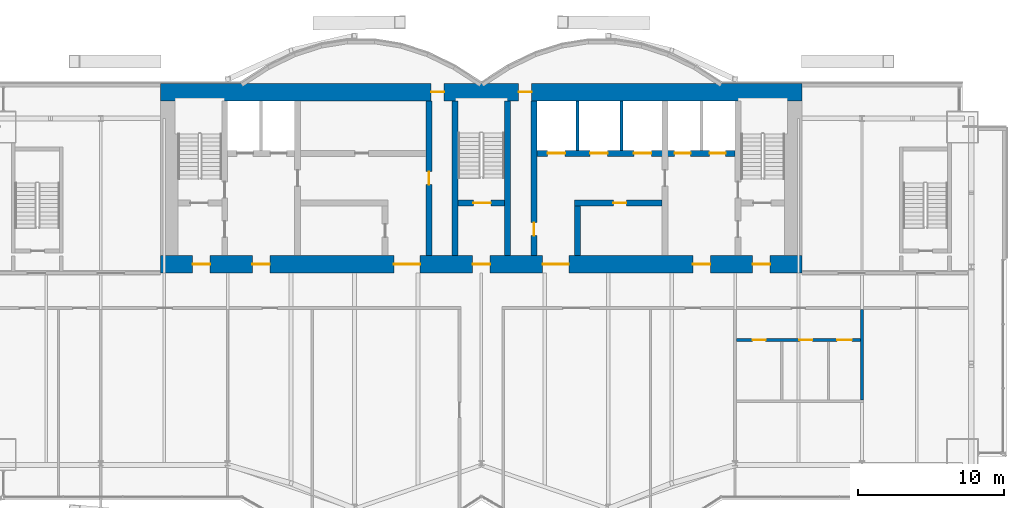
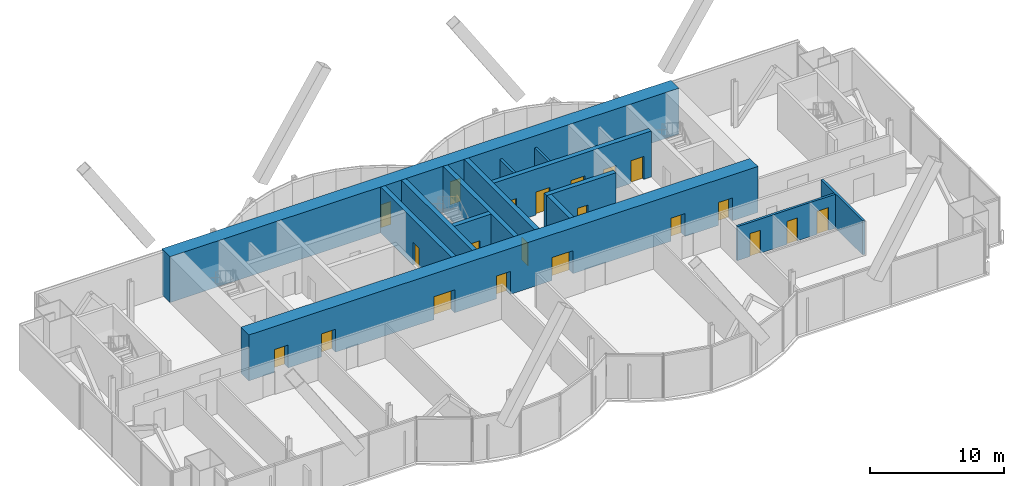
# One storey, part 14 of 19: 21 doors, 14 walls, 21 openings.
"""IFC4 building model written with IfcOpenShell, lengths in metres."""

from ifc_helpers import new_model, si_unit, direction, frame, frame_2d, origin, place, context, subcontext, project, spatial, rectangle, extrude, material, layer, layer_set, type_object, element, fill, save


model = new_model("IFC4")

# Units and contexts
model_context = context("Model", 3, precision=1e-05, world=origin(), true_north=direction((0.0, 1.0)))
body_context = subcontext(model_context, "Body", "Model", "MODEL_VIEW")
ifc_project = project(units=[si_unit("LENGTHUNIT", "METRE"), si_unit("AREAUNIT", "SQUARE_METRE"), si_unit("VOLUMEUNIT", "CUBIC_METRE"), si_unit("PLANEANGLEUNIT", "RADIAN"), si_unit("MASSUNIT", "GRAM", prefix="KILO")], contexts=[model_context])

# Site, building, storey
site_placement = place(None, origin())
site = spatial("IfcSite", under=ifc_project, at=site_placement, CompositionType="ELEMENT")
building_placement = place(site_placement, origin())
building = spatial("IfcBuilding", under=site, at=building_placement, Name="Bicima Exchange Tower", CompositionType="ELEMENT")
storey_placement = place(building_placement, frame((0.0, 0.0, 270.800048828125)))
storey = spatial("IfcBuildingStorey", under=building, at=storey_placement, Name="L61", CompositionType="ELEMENT", Elevation=270.800048828125)

# Walls
ifc_material_1 = material(Name="Gypsum board partition")
ifc_layer_1 = layer(ifc_material_1, 0.199951171875)
ifc_layer_set_1 = layer_set([ifc_layer_1], Name="Gypsum board partition")
wall_type_1 = type_object("IfcWallType", Name="Fire-rated gypsum partition 200 EI120", PredefinedType="PARTITIONING", material=ifc_layer_set_1)
for number, where, z_axis, x_axis, name in (
    (1, (6.60009765625, -4.60009765625, 0.0), (0.0, 0.0, 1.0), (0.0, 1.0, 0.0), "partition wall 17"),
    (2, (9.60009765625, -4.60009765625, 0.0), (0.0, 0.0, 1.0), (0.0, 1.0, 0.0), "partition wall 18"),
):
    element("IfcWall", number, at=place(storey_placement, frame(where, z_axis=z_axis, x_axis=x_axis)), inside=storey, type_object=wall_type_1, Name=name, PredefinedType="PARTITIONING", context=body_context, shape_type="SweptSolid", body=[
        extrude(rectangle(XDim=3.400146484375, YDim=0.199951171875, at=frame_2d((1.7001953125, 0.0))), origin(), (0.0, 0.0, 1.0), 3.1181640625),
    ])

# Wall, openings, doors
ifc_layer_2 = layer(ifc_material_1, 0.199951171875)
ifc_layer_set_2 = layer_set([ifc_layer_2], Name="Gypsum board partition")
wall_type_2 = type_object("IfcWallType", Name="Fire-rated gypsum partition 200 EI60", PredefinedType="PARTITIONING", material=ifc_layer_set_2)
wall_1_placement = place(storey_placement, frame((17.5, -17.60009765625, 0.0), z_axis=(0.0, 0.0, 1.0), x_axis=(1.0, 0.0, 0.0)))
wall_1 = element("IfcWall", 3, at=wall_1_placement, inside=storey, type_object=wall_type_2, Name="partition wall 2", PredefinedType="PARTITIONING", context=body_context, shape_type="SweptSolid", body=[
    extrude(rectangle(XDim=8.5, YDim=0.199951171875, at=frame_2d((4.25, 0.0))), origin(), (0.0, 0.0, 1.0), 3.1181640625),
])
opening_1_placement = place(wall_1_placement, frame((1.10009765625, 0.0, 0.0)))
opening_1 = element("IfcOpeningElement", 4, at=opening_1_placement, cuts=wall_1, Name="Opening L61-015", PredefinedType="OPENING", context=body_context, shape_type="SweptSolid", body=[
    extrude(rectangle(XDim=0.89990234375, YDim=2.10009765625, at=frame_2d((0.449951171875, 1.050048828125))), frame((0.0, 0.11181640625, 0.0), z_axis=(0.0, -1.0, 0.0), x_axis=(1.0, 0.0, 0.0)), (0.0, 0.0, 1.0), 0.223876953125),
])
opening_2_placement = place(wall_1_placement, frame((4.300048828125, 0.0, 0.0)))
opening_2 = element("IfcOpeningElement", 5, at=opening_2_placement, cuts=wall_1, Name="Opening L61-016", PredefinedType="OPENING", context=body_context, shape_type="SweptSolid", body=[
    extrude(rectangle(XDim=0.89990234375, YDim=2.10009765625, at=frame_2d((0.449951171875, 1.050048828125))), frame((0.0, 0.11181640625, 0.0), z_axis=(0.0, -1.0, 0.0), x_axis=(1.0, 0.0, 0.0)), (0.0, 0.0, 1.0), 0.223876953125),
])
opening_3_placement = place(wall_1_placement, frame((6.89990234375, 0.0, 0.0)))
opening_3 = element("IfcOpeningElement", 6, at=opening_3_placement, cuts=wall_1, Name="Opening L61-017", PredefinedType="OPENING", context=body_context, shape_type="SweptSolid", body=[
    extrude(rectangle(XDim=1.0, YDim=2.10009765625, at=frame_2d((0.5, 1.050048828125))), frame((0.0, 0.11181640625, 0.0), z_axis=(0.0, -1.0, 0.0), x_axis=(1.0, 0.0, 0.0)), (0.0, 0.0, 1.0), 0.223876953125),
])
ifc_material_2 = material(Name="Steel fire door leaf", Category="steel")
door_type_1 = type_object("IfcDoorType", Name="Door 1000 swing FD30S", OperationType="SINGLE_SWING_LEFT", PredefinedType="DOOR", material=ifc_material_2)
door_1_placement = place(opening_3_placement, frame((1.0, 0.0, 0.0), z_axis=(0.0, 0.0, 1.0), x_axis=(-1.0, 0.0, 0.0)))
door_1 = element("IfcDoor", 7, at=door_1_placement, inside=storey, type_object=door_type_1, Name="Door", OperationType="SINGLE_SWING_RIGHT", OverallHeight=2.10009765625, OverallWidth=1.0, PredefinedType="DOOR", context=body_context, shape_type="SweptSolid", body=[
    extrude(rectangle(XDim=1.0, YDim=2.10009765625, at=frame_2d((0.5, 1.050048828125))), frame((0.0, 0.02490234375, 0.0), z_axis=(0.0, -1.0, 0.0), x_axis=(1.0, 0.0, 0.0)), (0.0, 0.0, 1.0), 0.050048828125),
])
fill(opening_3, door_1)
door_type_2 = type_object("IfcDoorType", Name="Door 900 swing FD30S", OperationType="SINGLE_SWING_LEFT", PredefinedType="DOOR", material=ifc_material_2)
door_2_placement = place(opening_1_placement, frame((0.89990234375, 0.0, 0.0), z_axis=(0.0, 0.0, 1.0), x_axis=(-1.0, 0.0, 0.0)))
door_2 = element("IfcDoor", 8, at=door_2_placement, inside=storey, type_object=door_type_2, Name="Door", OperationType="SINGLE_SWING_RIGHT", OverallHeight=2.10009765625, OverallWidth=0.89990234375, PredefinedType="DOOR", context=body_context, shape_type="SweptSolid", body=[
    extrude(rectangle(XDim=0.89990234375, YDim=2.10009765625, at=frame_2d((0.449951171875, 1.050048828125))), frame((0.0, 0.02490234375, 0.0), z_axis=(0.0, -1.0, 0.0), x_axis=(1.0, 0.0, 0.0)), (0.0, 0.0, 1.0), 0.050048828125),
])
fill(opening_1, door_2)
door_3_placement = place(opening_2_placement, frame((0.89990234375, 0.0, 0.0), z_axis=(0.0, 0.0, 1.0), x_axis=(-1.0, 0.0, 0.0)))
door_3 = element("IfcDoor", 9, at=door_3_placement, inside=storey, type_object=door_type_2, Name="Door", OperationType="SINGLE_SWING_LEFT", OverallHeight=2.10009765625, OverallWidth=0.89990234375, PredefinedType="DOOR", context=body_context, shape_type="SweptSolid", body=[
    extrude(rectangle(XDim=0.89990234375, YDim=2.10009765625, at=frame_2d((0.449951171875, 1.050048828125))), frame((0.0, 0.02490234375, 0.0), z_axis=(0.0, -1.0, 0.0), x_axis=(1.0, 0.0, 0.0)), (0.0, 0.0, 1.0), 0.050048828125),
])
fill(opening_2, door_3)

# Wall
wall_2_placement = place(storey_placement, frame((26.10009765625, -21.72509765625, 0.0), z_axis=(0.0, 0.0, 1.0), x_axis=(0.0, 1.0, 0.0)))
element("IfcWall", 10, at=wall_2_placement, inside=storey, type_object=wall_type_2, Name="partition wall 27", PredefinedType="PARTITIONING", context=body_context, shape_type="SweptSolid", body=[
    extrude(rectangle(XDim=6.22509765625, YDim=0.199951171875, at=frame_2d((3.112548828125, 0.0))), origin(), (0.0, 0.0, 1.0), 3.1181640625),
])

# Wall, openings, doors
ifc_material_3 = material(Name="Concrete C40/50", Category="concrete")
ifc_layer_3 = layer(ifc_material_3, 1.199951171875)
ifc_layer_set_3 = layer_set([ifc_layer_3], Name="Concrete C40/50")
wall_type_3 = type_object("IfcWallType", Name="RC core wall 1200 C40/50", PredefinedType="SHEAR", material=ifc_layer_set_3)
wall_3_placement = place(storey_placement, frame((-22.0, -0.60009765625, 0.0), z_axis=(0.0, 0.0, 1.0), x_axis=(1.0, 0.0, 0.0)))
wall_3 = element("IfcWall", 11, at=wall_3_placement, inside=storey, type_object=wall_type_3, Name="Core wall north", PredefinedType="SHEAR", context=body_context, shape_type="SweptSolid", body=[
    extrude(rectangle(XDim=44.0, YDim=1.199951171875, at=frame_2d((22.0, 0.0))), origin(), (0.0, 0.0, 1.0), 4.199951171875),
])
opening_4_placement = place(wall_3_placement, frame((18.550048828125, 0.0, 0.0)))
opening_4 = element("IfcOpeningElement", 12, at=opening_4_placement, cuts=wall_3, Name="Opening L61-C15", PredefinedType="OPENING", context=body_context, shape_type="SweptSolid", body=[
    extrude(rectangle(XDim=0.89990234375, YDim=2.10009765625, at=frame_2d((0.449951171875, 1.050048828125))), frame((0.0, 0.61181640625, 0.0), z_axis=(0.0, -1.0, 0.0), x_axis=(1.0, 0.0, 0.0)), (0.0, 0.0, 1.0), 1.223876953125),
])
opening_5_placement = place(wall_3_placement, frame((24.550048828125, 0.0, 0.0)))
opening_5 = element("IfcOpeningElement", 13, at=opening_5_placement, cuts=wall_3, Name="Opening L61-C16", PredefinedType="OPENING", context=body_context, shape_type="SweptSolid", body=[
    extrude(rectangle(XDim=0.89990234375, YDim=2.10009765625, at=frame_2d((0.449951171875, 1.050048828125))), frame((0.0, 0.61181640625, 0.0), z_axis=(0.0, -1.0, 0.0), x_axis=(1.0, 0.0, 0.0)), (0.0, 0.0, 1.0), 1.223876953125),
])
door_4_placement = place(opening_4_placement, origin())
door_4 = element("IfcDoor", 14, at=door_4_placement, inside=storey, type_object=door_type_2, Name="Core door", OperationType="SINGLE_SWING_LEFT", OverallHeight=2.10009765625, OverallWidth=0.89990234375, PredefinedType="DOOR", context=body_context, shape_type="SweptSolid", body=[
    extrude(rectangle(XDim=0.89990234375, YDim=2.10009765625, at=frame_2d((0.449951171875, 1.050048828125))), frame((0.0, 0.02490234375, 0.0), z_axis=(0.0, -1.0, 0.0), x_axis=(1.0, 0.0, 0.0)), (0.0, 0.0, 1.0), 0.050048828125),
])
fill(opening_4, door_4)
door_5_placement = place(opening_5_placement, origin())
door_5 = element("IfcDoor", 15, at=door_5_placement, inside=storey, type_object=door_type_2, Name="Core door", OperationType="SINGLE_SWING_LEFT", OverallHeight=2.10009765625, OverallWidth=0.89990234375, PredefinedType="DOOR", context=body_context, shape_type="SweptSolid", body=[
    extrude(rectangle(XDim=0.89990234375, YDim=2.10009765625, at=frame_2d((0.449951171875, 1.050048828125))), frame((0.0, 0.02490234375, 0.0), z_axis=(0.0, -1.0, 0.0), x_axis=(1.0, 0.0, 0.0)), (0.0, 0.0, 1.0), 0.050048828125),
])
fill(opening_5, door_5)

wall_4_placement = place(storey_placement, frame((-22.0, -12.39990234375, 0.0), z_axis=(0.0, 0.0, 1.0), x_axis=(1.0, 0.0, 0.0)))
wall_4 = element("IfcWall", 16, at=wall_4_placement, inside=storey, type_object=wall_type_3, Name="Core wall south", PredefinedType="SHEAR", context=body_context, shape_type="SweptSolid", body=[
    extrude(rectangle(XDim=44.0, YDim=1.199951171875, at=frame_2d((22.0, 0.0))), origin(), (0.0, 0.0, 1.0), 4.199951171875),
])
opening_6_placement = place(wall_4_placement, frame((2.199951171875, 0.0, 0.0)))
opening_6 = element("IfcOpeningElement", 17, at=opening_6_placement, cuts=wall_4, Name="Opening L61-C17", PredefinedType="OPENING", context=body_context, shape_type="SweptSolid", body=[
    extrude(rectangle(XDim=1.199951171875, YDim=2.10009765625, at=frame_2d((0.60009765625, 1.050048828125))), frame((0.0, 0.61181640625, 0.0), z_axis=(0.0, -1.0, 0.0), x_axis=(1.0, 0.0, 0.0)), (0.0, 0.0, 1.0), 1.223876953125),
])
opening_7_placement = place(wall_4_placement, frame((21.39990234375, 0.0, 0.0)))
opening_7 = element("IfcOpeningElement", 18, at=opening_7_placement, cuts=wall_4, Name="Opening L61-C18", PredefinedType="OPENING", context=body_context, shape_type="SweptSolid", body=[
    extrude(rectangle(XDim=1.199951171875, YDim=2.10009765625, at=frame_2d((0.60009765625, 1.050048828125))), frame((0.0, 0.61181640625, 0.0), z_axis=(0.0, -1.0, 0.0), x_axis=(1.0, 0.0, 0.0)), (0.0, 0.0, 1.0), 1.223876953125),
])
opening_8_placement = place(wall_4_placement, frame((40.60009765625, 0.0, 0.0)))
opening_8 = element("IfcOpeningElement", 19, at=opening_8_placement, cuts=wall_4, Name="Opening L61-C19", PredefinedType="OPENING", context=body_context, shape_type="SweptSolid", body=[
    extrude(rectangle(XDim=1.199951171875, YDim=2.10009765625, at=frame_2d((0.60009765625, 1.050048828125))), frame((0.0, 0.61181640625, 0.0), z_axis=(0.0, -1.0, 0.0), x_axis=(1.0, 0.0, 0.0)), (0.0, 0.0, 1.0), 1.223876953125),
])
opening_9_placement = place(wall_4_placement, frame((16.0, 0.0, 0.0)))
opening_9 = element("IfcOpeningElement", 20, at=opening_9_placement, cuts=wall_4, Name="Opening L61-C20", PredefinedType="OPENING", context=body_context, shape_type="SweptSolid", body=[
    extrude(rectangle(XDim=1.800048828125, YDim=2.10009765625, at=frame_2d((0.89990234375, 1.050048828125))), frame((0.0, 0.61181640625, 0.0), z_axis=(0.0, -1.0, 0.0), x_axis=(1.0, 0.0, 0.0)), (0.0, 0.0, 1.0), 1.223876953125),
])
opening_10_placement = place(wall_4_placement, frame((6.300048828125, 0.0, 0.0)))
opening_10 = element("IfcOpeningElement", 21, at=opening_10_placement, cuts=wall_4, Name="Opening L61-C21", PredefinedType="OPENING", context=body_context, shape_type="SweptSolid", body=[
    extrude(rectangle(XDim=1.199951171875, YDim=2.10009765625, at=frame_2d((0.60009765625, 1.050048828125))), frame((0.0, 0.61181640625, 0.0), z_axis=(0.0, -1.0, 0.0), x_axis=(1.0, 0.0, 0.0)), (0.0, 0.0, 1.0), 1.223876953125),
])
opening_11_placement = place(wall_4_placement, frame((26.199951171875, 0.0, 0.0)))
opening_11 = element("IfcOpeningElement", 22, at=opening_11_placement, cuts=wall_4, Name="Opening L61-C22", PredefinedType="OPENING", context=body_context, shape_type="SweptSolid", body=[
    extrude(rectangle(XDim=1.800048828125, YDim=2.10009765625, at=frame_2d((0.89990234375, 1.050048828125))), frame((0.0, 0.61181640625, 0.0), z_axis=(0.0, -1.0, 0.0), x_axis=(1.0, 0.0, 0.0)), (0.0, 0.0, 1.0), 1.223876953125),
])
opening_12_placement = place(wall_4_placement, frame((36.5, 0.0, 0.0)))
opening_12 = element("IfcOpeningElement", 23, at=opening_12_placement, cuts=wall_4, Name="Opening L61-C23", PredefinedType="OPENING", context=body_context, shape_type="SweptSolid", body=[
    extrude(rectangle(XDim=1.199951171875, YDim=2.10009765625, at=frame_2d((0.60009765625, 1.050048828125))), frame((0.0, 0.61181640625, 0.0), z_axis=(0.0, -1.0, 0.0), x_axis=(1.0, 0.0, 0.0)), (0.0, 0.0, 1.0), 1.223876953125),
])
door_type_3 = type_object("IfcDoorType", Name="Door 1200 swing FD60S", OperationType="SINGLE_SWING_LEFT", PredefinedType="DOOR", material=ifc_material_2)
door_6_placement = place(opening_6_placement, frame((1.199951171875, 0.0, 0.0), z_axis=(0.0, 0.0, 1.0), x_axis=(-1.0, 0.0, 0.0)))
door_6 = element("IfcDoor", 24, at=door_6_placement, inside=storey, type_object=door_type_3, Name="Core door", OperationType="SINGLE_SWING_RIGHT", OverallHeight=2.10009765625, OverallWidth=1.199951171875, PredefinedType="DOOR", context=body_context, shape_type="SweptSolid", body=[
    extrude(rectangle(XDim=1.199951171875, YDim=2.10009765625, at=frame_2d((0.60009765625, 1.050048828125))), frame((0.0, 0.02490234375, 0.0), z_axis=(0.0, -1.0, 0.0), x_axis=(1.0, 0.0, 0.0)), (0.0, 0.0, 1.0), 0.050048828125),
])
fill(opening_6, door_6)
door_7_placement = place(opening_7_placement, frame((1.199951171875, 0.0, 0.0), z_axis=(0.0, 0.0, 1.0), x_axis=(-1.0, 0.0, 0.0)))
door_7 = element("IfcDoor", 25, at=door_7_placement, inside=storey, type_object=door_type_3, Name="Core door", OperationType="SINGLE_SWING_RIGHT", OverallHeight=2.10009765625, OverallWidth=1.199951171875, PredefinedType="DOOR", context=body_context, shape_type="SweptSolid", body=[
    extrude(rectangle(XDim=1.199951171875, YDim=2.10009765625, at=frame_2d((0.60009765625, 1.050048828125))), frame((0.0, 0.02490234375, 0.0), z_axis=(0.0, -1.0, 0.0), x_axis=(1.0, 0.0, 0.0)), (0.0, 0.0, 1.0), 0.050048828125),
])
fill(opening_7, door_7)
door_8_placement = place(opening_8_placement, frame((1.199951171875, 0.0, 0.0), z_axis=(0.0, 0.0, 1.0), x_axis=(-1.0, 0.0, 0.0)))
door_8 = element("IfcDoor", 26, at=door_8_placement, inside=storey, type_object=door_type_3, Name="Core door", OperationType="SINGLE_SWING_RIGHT", OverallHeight=2.10009765625, OverallWidth=1.199951171875, PredefinedType="DOOR", context=body_context, shape_type="SweptSolid", body=[
    extrude(rectangle(XDim=1.199951171875, YDim=2.10009765625, at=frame_2d((0.60009765625, 1.050048828125))), frame((0.0, 0.02490234375, 0.0), z_axis=(0.0, -1.0, 0.0), x_axis=(1.0, 0.0, 0.0)), (0.0, 0.0, 1.0), 0.050048828125),
])
fill(opening_8, door_8)
door_9_placement = place(opening_10_placement, frame((1.199951171875, 0.0, 0.0), z_axis=(0.0, 0.0, 1.0), x_axis=(-1.0, 0.0, 0.0)))
door_9 = element("IfcDoor", 27, at=door_9_placement, inside=storey, type_object=door_type_3, Name="Core door", OperationType="SINGLE_SWING_RIGHT", OverallHeight=2.10009765625, OverallWidth=1.199951171875, PredefinedType="DOOR", context=body_context, shape_type="SweptSolid", body=[
    extrude(rectangle(XDim=1.199951171875, YDim=2.10009765625, at=frame_2d((0.60009765625, 1.050048828125))), frame((0.0, 0.02490234375, 0.0), z_axis=(0.0, -1.0, 0.0), x_axis=(1.0, 0.0, 0.0)), (0.0, 0.0, 1.0), 0.050048828125),
])
fill(opening_10, door_9)
door_10_placement = place(opening_12_placement, frame((1.199951171875, 0.0, 0.0), z_axis=(0.0, 0.0, 1.0), x_axis=(-1.0, 0.0, 0.0)))
door_10 = element("IfcDoor", 28, at=door_10_placement, inside=storey, type_object=door_type_3, Name="Core door", OperationType="SINGLE_SWING_RIGHT", OverallHeight=2.10009765625, OverallWidth=1.199951171875, PredefinedType="DOOR", context=body_context, shape_type="SweptSolid", body=[
    extrude(rectangle(XDim=1.199951171875, YDim=2.10009765625, at=frame_2d((0.60009765625, 1.050048828125))), frame((0.0, 0.02490234375, 0.0), z_axis=(0.0, -1.0, 0.0), x_axis=(1.0, 0.0, 0.0)), (0.0, 0.0, 1.0), 0.050048828125),
])
fill(opening_12, door_10)
door_type_4 = type_object("IfcDoorType", Name="Door 1800 double swing FD30S", OperationType="DOUBLE_DOOR_SINGLE_SWING", PredefinedType="DOOR", material=ifc_material_2)
door_11_placement = place(opening_9_placement, origin())
door_11 = element("IfcDoor", 29, at=door_11_placement, inside=storey, type_object=door_type_4, Name="Core door", OperationType="SINGLE_SWING_LEFT", OverallHeight=2.10009765625, OverallWidth=1.800048828125, PredefinedType="DOOR", context=body_context, shape_type="SweptSolid", body=[
    extrude(rectangle(XDim=1.800048828125, YDim=2.10009765625, at=frame_2d((0.89990234375, 1.050048828125))), frame((0.0, 0.02490234375, 0.0), z_axis=(0.0, -1.0, 0.0), x_axis=(1.0, 0.0, 0.0)), (0.0, 0.0, 1.0), 0.050048828125),
])
fill(opening_9, door_11)
door_12_placement = place(opening_11_placement, origin())
door_12 = element("IfcDoor", 30, at=door_12_placement, inside=storey, type_object=door_type_4, Name="Core door", OperationType="SINGLE_SWING_LEFT", OverallHeight=2.10009765625, OverallWidth=1.800048828125, PredefinedType="DOOR", context=body_context, shape_type="SweptSolid", body=[
    extrude(rectangle(XDim=1.800048828125, YDim=2.10009765625, at=frame_2d((0.89990234375, 1.050048828125))), frame((0.0, 0.02490234375, 0.0), z_axis=(0.0, -1.0, 0.0), x_axis=(1.0, 0.0, 0.0)), (0.0, 0.0, 1.0), 0.050048828125),
])
fill(opening_11, door_12)

# Wall, opening, door
ifc_layer_4 = layer(ifc_material_3, 0.39990234375)
ifc_layer_set_4 = layer_set([ifc_layer_4], Name="Concrete C40/50")
wall_type_4 = type_object("IfcWallType", Name="RC core wall 400 C40/50", PredefinedType="SHEAR", material=ifc_layer_set_4)
wall_5_placement = place(storey_placement, frame((6.39990234375, -8.199951171875, 0.0), z_axis=(0.0, 0.0, 1.0), x_axis=(1.0, 0.0, 0.0)))
wall_5 = element("IfcWall", 31, at=wall_5_placement, inside=storey, type_object=wall_type_4, Name="shear wall 4", PredefinedType="SHEAR", context=body_context, shape_type="SweptSolid", body=[
    extrude(rectangle(XDim=6.0, YDim=0.39990234375, at=frame_2d((3.0, 0.0))), origin(), (0.0, 0.0, 1.0), 4.199951171875),
])
opening_13_placement = place(wall_5_placement, frame((2.64990234375, 0.0, 0.0)))
opening_13 = element("IfcOpeningElement", 32, at=opening_13_placement, cuts=wall_5, Name="Opening L61-C14", PredefinedType="OPENING", context=body_context, shape_type="SweptSolid", body=[
    extrude(rectangle(XDim=0.89990234375, YDim=2.10009765625, at=frame_2d((0.449951171875, 1.050048828125))), frame((0.0, 0.2119140625, 0.0), z_axis=(0.0, -1.0, 0.0), x_axis=(1.0, 0.0, 0.0)), (0.0, 0.0, 1.0), 0.423828125),
])
door_13_placement = place(opening_13_placement, frame((0.89990234375, 0.0, 0.0), z_axis=(0.0, 0.0, 1.0), x_axis=(-1.0, 0.0, 0.0)))
door_13 = element("IfcDoor", 33, at=door_13_placement, inside=storey, type_object=door_type_2, Name="Core door", OperationType="SINGLE_SWING_LEFT", OverallHeight=2.10009765625, OverallWidth=0.89990234375, PredefinedType="DOOR", context=body_context, shape_type="SweptSolid", body=[
    extrude(rectangle(XDim=0.89990234375, YDim=2.10009765625, at=frame_2d((0.449951171875, 1.050048828125))), frame((0.0, 0.02490234375, 0.0), z_axis=(0.0, -1.0, 0.0), x_axis=(1.0, 0.0, 0.0)), (0.0, 0.0, 1.0), 0.050048828125),
])
fill(opening_13, door_13)

# Wall, openings, doors
wall_6_placement = place(storey_placement, frame((3.800048828125, -4.800048828125, 0.0), z_axis=(0.0, 0.0, 1.0), x_axis=(1.0, 0.0, 0.0)))
wall_6 = element("IfcWall", 34, at=wall_6_placement, inside=storey, type_object=wall_type_4, Name="shear wall 7", PredefinedType="SHEAR", context=body_context, shape_type="SweptSolid", body=[
    extrude(rectangle(XDim=13.599853515625, YDim=0.39990234375, at=frame_2d((6.7998046875, 0.0))), origin(), (0.0, 0.0, 1.0), 4.199951171875),
])
opening_14_placement = place(wall_6_placement, frame((0.75, 0.0, 0.0)))
opening_14 = element("IfcOpeningElement", 35, at=opening_14_placement, cuts=wall_6, Name="Opening LD-HB1-L61", PredefinedType="OPENING", context=body_context, shape_type="SweptSolid", body=[
    extrude(rectangle(XDim=1.199951171875, YDim=2.10009765625, at=frame_2d((0.60009765625, 1.050048828125))), frame((0.0, 0.2119140625, 0.0), z_axis=(0.0, -1.0, 0.0), x_axis=(1.0, 0.0, 0.0)), (0.0, 0.0, 1.0), 0.423828125),
])
opening_15_placement = place(wall_6_placement, frame((3.64990234375, 0.0, 0.0)))
opening_15 = element("IfcOpeningElement", 36, at=opening_15_placement, cuts=wall_6, Name="Opening LD-HB2-L61", PredefinedType="OPENING", context=body_context, shape_type="SweptSolid", body=[
    extrude(rectangle(XDim=1.199951171875, YDim=2.10009765625, at=frame_2d((0.60009765625, 1.050048828125))), frame((0.0, 0.2119140625, 0.0), z_axis=(0.0, -1.0, 0.0), x_axis=(1.0, 0.0, 0.0)), (0.0, 0.0, 1.0), 0.423828125),
])
opening_16_placement = place(wall_6_placement, frame((6.64990234375, 0.0, 0.0)))
opening_16 = element("IfcOpeningElement", 37, at=opening_16_placement, cuts=wall_6, Name="Opening LD-HB3-L61", PredefinedType="OPENING", context=body_context, shape_type="SweptSolid", body=[
    extrude(rectangle(XDim=1.199951171875, YDim=2.10009765625, at=frame_2d((0.60009765625, 1.050048828125))), frame((0.0, 0.2119140625, 0.0), z_axis=(0.0, -1.0, 0.0), x_axis=(1.0, 0.0, 0.0)), (0.0, 0.0, 1.0), 0.423828125),
])
opening_17_placement = place(wall_6_placement, frame((9.449951171875, 0.0, 0.0)))
opening_17 = element("IfcOpeningElement", 38, at=opening_17_placement, cuts=wall_6, Name="Opening LD-FF2-L61", PredefinedType="OPENING", context=body_context, shape_type="SweptSolid", body=[
    extrude(rectangle(XDim=1.10009765625, YDim=2.10009765625, at=frame_2d((0.550048828125, 1.050048828125))), frame((0.0, 0.2119140625, 0.0), z_axis=(0.0, -1.0, 0.0), x_axis=(1.0, 0.0, 0.0)), (0.0, 0.0, 1.0), 0.423828125),
])
opening_18_placement = place(wall_6_placement, frame((11.85009765625, 0.0, 0.0)))
opening_18 = element("IfcOpeningElement", 39, at=opening_18_placement, cuts=wall_6, Name="Opening LD-SV1-L61", PredefinedType="OPENING", context=body_context, shape_type="SweptSolid", body=[
    extrude(rectangle(XDim=1.10009765625, YDim=2.10009765625, at=frame_2d((0.550048828125, 1.050048828125))), frame((0.0, 0.2119140625, 0.0), z_axis=(0.0, -1.0, 0.0), x_axis=(1.0, 0.0, 0.0)), (0.0, 0.0, 1.0), 0.423828125),
])
ifc_material_4 = material(Name="Stainless steel", Category="steel")
door_type_5 = type_object("IfcDoorType", Name="Lift landing door 1100 sliding", OperationType="DOUBLE_DOOR_SLIDING", PredefinedType="DOOR", material=ifc_material_4)
door_14_placement = place(opening_17_placement, origin())
door_14 = element("IfcDoor", 40, at=door_14_placement, inside=storey, type_object=door_type_5, Name="Lift landing door FF2", OperationType="DOUBLE_DOOR_SLIDING", OverallHeight=2.10009765625, OverallWidth=1.10009765625, PredefinedType="DOOR", context=body_context, shape_type="SweptSolid", body=[
    extrude(rectangle(XDim=1.10009765625, YDim=2.10009765625, at=frame_2d((0.550048828125, 1.050048828125))), frame((0.0, 0.02490234375, 0.0), z_axis=(0.0, -1.0, 0.0), x_axis=(1.0, 0.0, 0.0)), (0.0, 0.0, 1.0), 0.050048828125),
])
fill(opening_17, door_14)
door_15_placement = place(opening_18_placement, origin())
door_15 = element("IfcDoor", 41, at=door_15_placement, inside=storey, type_object=door_type_5, Name="Lift landing door SV1", OperationType="DOUBLE_DOOR_SLIDING", OverallHeight=2.10009765625, OverallWidth=1.10009765625, PredefinedType="DOOR", context=body_context, shape_type="SweptSolid", body=[
    extrude(rectangle(XDim=1.10009765625, YDim=2.10009765625, at=frame_2d((0.550048828125, 1.050048828125))), frame((0.0, 0.02490234375, 0.0), z_axis=(0.0, -1.0, 0.0), x_axis=(1.0, 0.0, 0.0)), (0.0, 0.0, 1.0), 0.050048828125),
])
fill(opening_18, door_15)
door_type_6 = type_object("IfcDoorType", Name="Lift landing door 1200 sliding", OperationType="DOUBLE_DOOR_SLIDING", PredefinedType="DOOR", material=ifc_material_4)
door_16_placement = place(opening_14_placement, origin())
door_16 = element("IfcDoor", 42, at=door_16_placement, inside=storey, type_object=door_type_6, Name="Lift landing door HB1", OperationType="DOUBLE_DOOR_SLIDING", OverallHeight=2.10009765625, OverallWidth=1.199951171875, PredefinedType="DOOR", context=body_context, shape_type="SweptSolid", body=[
    extrude(rectangle(XDim=1.199951171875, YDim=2.10009765625, at=frame_2d((0.60009765625, 1.050048828125))), frame((0.0, 0.02490234375, 0.0), z_axis=(0.0, -1.0, 0.0), x_axis=(1.0, 0.0, 0.0)), (0.0, 0.0, 1.0), 0.050048828125),
])
fill(opening_14, door_16)
door_17_placement = place(opening_15_placement, origin())
door_17 = element("IfcDoor", 43, at=door_17_placement, inside=storey, type_object=door_type_6, Name="Lift landing door HB2", OperationType="DOUBLE_DOOR_SLIDING", OverallHeight=2.10009765625, OverallWidth=1.199951171875, PredefinedType="DOOR", context=body_context, shape_type="SweptSolid", body=[
    extrude(rectangle(XDim=1.199951171875, YDim=2.10009765625, at=frame_2d((0.60009765625, 1.050048828125))), frame((0.0, 0.02490234375, 0.0), z_axis=(0.0, -1.0, 0.0), x_axis=(1.0, 0.0, 0.0)), (0.0, 0.0, 1.0), 0.050048828125),
])
fill(opening_15, door_17)
door_18_placement = place(opening_16_placement, origin())
door_18 = element("IfcDoor", 44, at=door_18_placement, inside=storey, type_object=door_type_6, Name="Lift landing door HB3", OperationType="DOUBLE_DOOR_SLIDING", OverallHeight=2.10009765625, OverallWidth=1.199951171875, PredefinedType="DOOR", context=body_context, shape_type="SweptSolid", body=[
    extrude(rectangle(XDim=1.199951171875, YDim=2.10009765625, at=frame_2d((0.60009765625, 1.050048828125))), frame((0.0, 0.02490234375, 0.0), z_axis=(0.0, -1.0, 0.0), x_axis=(1.0, 0.0, 0.0)), (0.0, 0.0, 1.0), 0.050048828125),
])
fill(opening_16, door_18)

# Wall, opening, door
wall_7_placement = place(storey_placement, frame((-3.60009765625, -11.800048828125, 0.0), z_axis=(0.0, 0.0, 1.0), x_axis=(0.0, 1.0, 0.0)))
wall_7 = element("IfcWall", 45, at=wall_7_placement, inside=storey, type_object=wall_type_4, Name="shear wall 12", PredefinedType="SHEAR", context=body_context, shape_type="SweptSolid", body=[
    extrude(rectangle(XDim=10.60009765625, YDim=0.39990234375, at=frame_2d((5.300048828125, 0.0))), origin(), (0.0, 0.0, 1.0), 4.199951171875),
])
opening_19_placement = place(wall_7_placement, frame((4.85009765625, 0.0, 0.0)))
opening_19 = element("IfcOpeningElement", 46, at=opening_19_placement, cuts=wall_7, Name="Opening L61-C10", PredefinedType="OPENING", context=body_context, shape_type="SweptSolid", body=[
    extrude(rectangle(XDim=0.89990234375, YDim=2.10009765625, at=frame_2d((0.449951171875, 1.050048828125))), frame((0.0, 0.2119140625, 0.0), z_axis=(0.0, -1.0, 0.0), x_axis=(1.0, 0.0, 0.0)), (0.0, 0.0, 1.0), 0.423828125),
])
door_19_placement = place(opening_19_placement, frame((0.89990234375, 0.0, 0.0), z_axis=(0.0, 0.0, 1.0), x_axis=(-1.0, 0.0, 0.0)))
door_19 = element("IfcDoor", 47, at=door_19_placement, inside=storey, type_object=door_type_2, Name="Core door", OperationType="SINGLE_SWING_LEFT", OverallHeight=2.10009765625, OverallWidth=0.89990234375, PredefinedType="DOOR", context=body_context, shape_type="SweptSolid", body=[
    extrude(rectangle(XDim=0.89990234375, YDim=2.10009765625, at=frame_2d((0.449951171875, 1.050048828125))), frame((0.0, 0.02490234375, 0.0), z_axis=(0.0, -1.0, 0.0), x_axis=(1.0, 0.0, 0.0)), (0.0, 0.0, 1.0), 0.050048828125),
])
fill(opening_19, door_19)

wall_8_placement = place(storey_placement, frame((3.60009765625, -11.800048828125, 0.0), z_axis=(0.0, 0.0, 1.0), x_axis=(0.0, 1.0, 0.0)))
wall_8 = element("IfcWall", 48, at=wall_8_placement, inside=storey, type_object=wall_type_4, Name="shear wall 15", PredefinedType="SHEAR", context=body_context, shape_type="SweptSolid", body=[
    extrude(rectangle(XDim=10.60009765625, YDim=0.39990234375, at=frame_2d((5.300048828125, 0.0))), origin(), (0.0, 0.0, 1.0), 4.199951171875),
])
opening_20_placement = place(wall_8_placement, frame((1.35009765625, 0.0, 0.0)))
opening_20 = element("IfcOpeningElement", 49, at=opening_20_placement, cuts=wall_8, Name="Opening L61-C11", PredefinedType="OPENING", context=body_context, shape_type="SweptSolid", body=[
    extrude(rectangle(XDim=0.89990234375, YDim=2.10009765625, at=frame_2d((0.449951171875, 1.050048828125))), frame((0.0, 0.2119140625, 0.0), z_axis=(0.0, -1.0, 0.0), x_axis=(1.0, 0.0, 0.0)), (0.0, 0.0, 1.0), 0.423828125),
])
door_20_placement = place(opening_20_placement, origin())
door_20 = element("IfcDoor", 50, at=door_20_placement, inside=storey, type_object=door_type_2, Name="Core door", OperationType="SINGLE_SWING_LEFT", OverallHeight=2.10009765625, OverallWidth=0.89990234375, PredefinedType="DOOR", context=body_context, shape_type="SweptSolid", body=[
    extrude(rectangle(XDim=0.89990234375, YDim=2.10009765625, at=frame_2d((0.449951171875, 1.050048828125))), frame((0.0, 0.02490234375, 0.0), z_axis=(0.0, -1.0, 0.0), x_axis=(1.0, 0.0, 0.0)), (0.0, 0.0, 1.0), 0.050048828125),
])
fill(opening_20, door_20)

# Wall
wall_9_placement = place(storey_placement, frame((6.60009765625, -11.800048828125, 0.0), z_axis=(0.0, 0.0, 1.0), x_axis=(0.0, 1.0, 0.0)))
element("IfcWall", 51, at=wall_9_placement, inside=storey, type_object=wall_type_4, Name="shear wall 16", PredefinedType="SHEAR", context=body_context, shape_type="SweptSolid", body=[
    extrude(rectangle(XDim=3.400146484375, YDim=0.39990234375, at=frame_2d((1.7001953125, 0.0))), origin(), (0.0, 0.0, 1.0), 4.199951171875),
])

# Wall, opening, door
ifc_material_5 = material(Name="Concrete C50/60", Category="concrete")
ifc_layer_5 = layer(ifc_material_5, 0.39990234375)
ifc_layer_set_5 = layer_set([ifc_layer_5], Name="Concrete C50/60")
wall_type_5 = type_object("IfcWallType", Name="RC core wall 400 C50/60", PredefinedType="SHEAR", material=ifc_layer_set_5)
wall_10_placement = place(storey_placement, frame((-1.60009765625, -8.199951171875, 0.0), z_axis=(0.0, 0.0, 1.0), x_axis=(1.0, 0.0, 0.0)))
wall_10 = element("IfcWall", 52, at=wall_10_placement, inside=storey, type_object=wall_type_5, Name="stair wall 3", PredefinedType="SHEAR", context=body_context, shape_type="SweptSolid", body=[
    extrude(rectangle(XDim=3.2001953125, YDim=0.39990234375, at=frame_2d((1.60009765625, 0.0))), origin(), (0.0, 0.0, 1.0), 4.199951171875),
])
opening_21_placement = place(wall_10_placement, frame((1.050048828125, 0.0, 0.0)))
opening_21 = element("IfcOpeningElement", 53, at=opening_21_placement, cuts=wall_10, Name="Opening L61-C03", PredefinedType="OPENING", context=body_context, shape_type="SweptSolid", body=[
    extrude(rectangle(XDim=1.199951171875, YDim=2.10009765625, at=frame_2d((0.60009765625, 1.050048828125))), frame((0.0, 0.2119140625, 0.0), z_axis=(0.0, -1.0, 0.0), x_axis=(1.0, 0.0, 0.0)), (0.0, 0.0, 1.0), 0.423828125),
])
door_21_placement = place(opening_21_placement, origin())
door_21 = element("IfcDoor", 54, at=door_21_placement, inside=storey, type_object=door_type_3, Name="Core door", OperationType="SINGLE_SWING_LEFT", OverallHeight=2.10009765625, OverallWidth=1.199951171875, PredefinedType="DOOR", context=body_context, shape_type="SweptSolid", body=[
    extrude(rectangle(XDim=1.199951171875, YDim=2.10009765625, at=frame_2d((0.60009765625, 1.050048828125))), frame((0.0, 0.02490234375, 0.0), z_axis=(0.0, -1.0, 0.0), x_axis=(1.0, 0.0, 0.0)), (0.0, 0.0, 1.0), 0.050048828125),
])
fill(opening_21, door_21)

# Walls
for number, where, z_axis, x_axis, name in (
    (55, (-1.800048828125, -11.800048828125, 0.0), (0.0, 0.0, 1.0), (0.0, 1.0, 0.0), "stair wall 13"),
    (56, (1.800048828125, -11.800048828125, 0.0), (0.0, 0.0, 1.0), (0.0, 1.0, 0.0), "stair wall 14"),
):
    element("IfcWall", number, at=place(storey_placement, frame(where, z_axis=z_axis, x_axis=x_axis)), inside=storey, type_object=wall_type_5, Name=name, PredefinedType="SHEAR", context=body_context, shape_type="SweptSolid", body=[
        extrude(rectangle(XDim=10.60009765625, YDim=0.39990234375, at=frame_2d((5.300048828125, 0.0))), origin(), (0.0, 0.0, 1.0), 4.199951171875),
    ])

save(model, "model.ifc")
